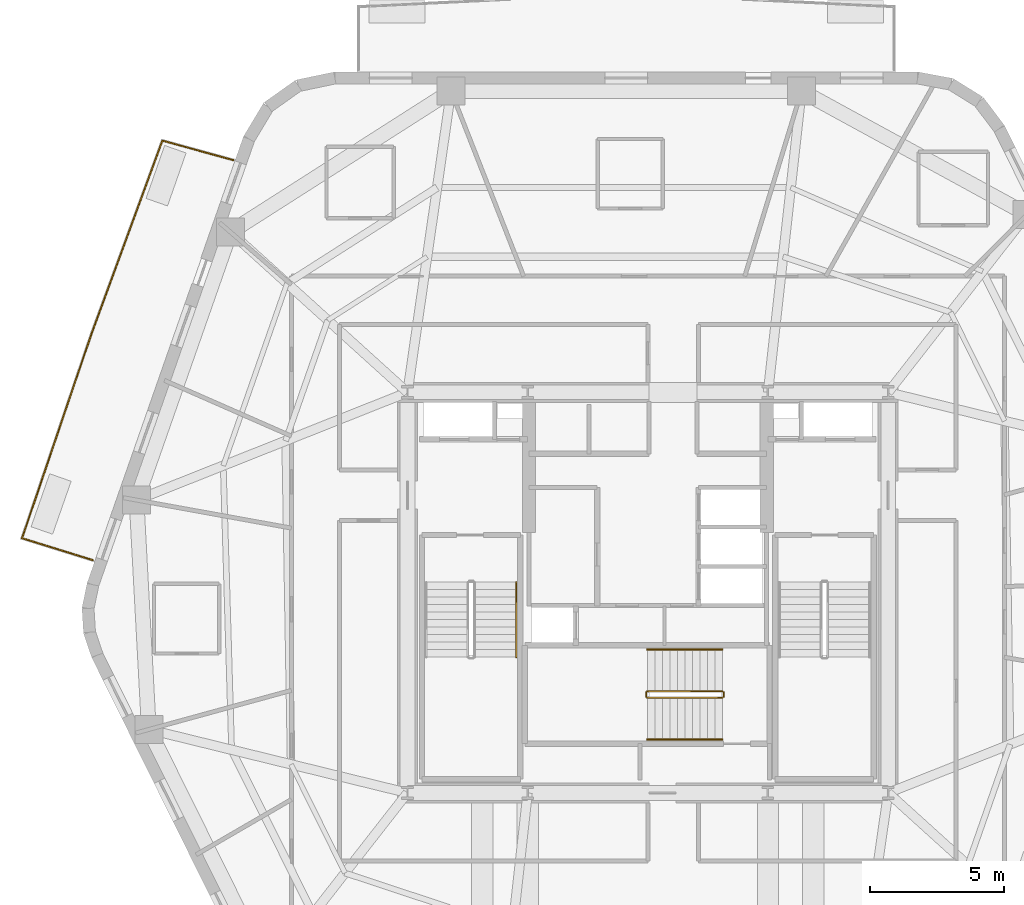
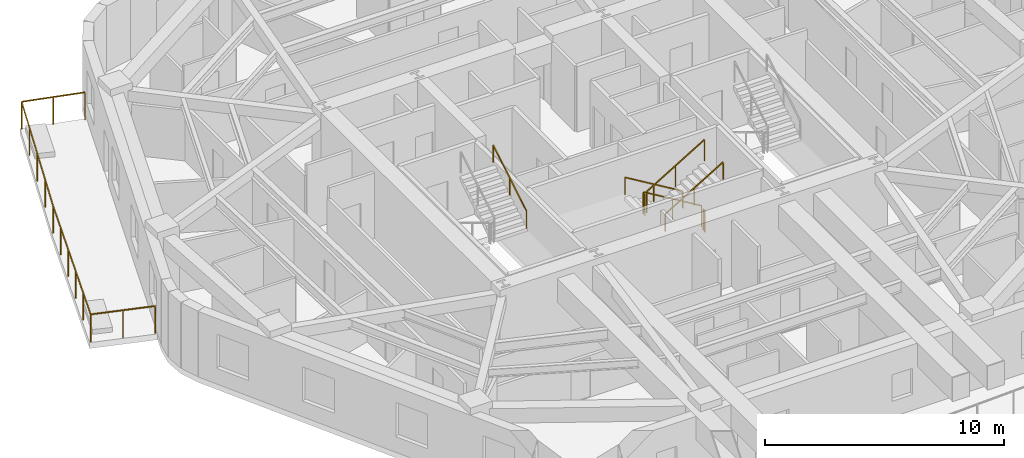
# One storey, part 9 of 11: 8 railings.
"""IFC4 building model written with IfcOpenShell, lengths in metres."""

from ifc_helpers import new_model, si_unit, direction, frame, origin, origin_2d, place, context, subcontext, project, spatial, rectangle, extrude, material, layer, layer_set, type_object, element, save


model = new_model("IFC4")

# Units and contexts
model_context = context("Model", 3, precision=1e-05, world=origin(), true_north=direction((0.0, 1.0)))
body_context = subcontext(model_context, "Body", "Model", "MODEL_VIEW")
ifc_project = project(units=[si_unit("LENGTHUNIT", "METRE"), si_unit("AREAUNIT", "SQUARE_METRE"), si_unit("VOLUMEUNIT", "CUBIC_METRE"), si_unit("PLANEANGLEUNIT", "RADIAN"), si_unit("MASSUNIT", "GRAM", prefix="KILO")], contexts=[model_context])

# Site, building, storey
site_placement = place(None, origin())
site = spatial("IfcSite", under=ifc_project, at=site_placement, CompositionType="ELEMENT")
building_placement = place(site_placement, origin())
building = spatial("IfcBuilding", under=site, at=building_placement, Name="Kilnhurst Terrace Hotel", CompositionType="ELEMENT")
storey_placement = place(building_placement, frame((0.0, 0.0, 197.800048828125)))
storey = spatial("IfcBuildingStorey", under=building, at=storey_placement, Name="L49", CompositionType="ELEMENT", Elevation=197.800048828125)

# Railings
ifc_material_1 = material(Name="Laminated SentryGlas and Stainless Steel AISI 316L Balustrade", Category="steel")
ifc_layer_1 = layer(ifc_material_1, 0.070068359375, Name="Laminated SentryGlas and Stainless Steel AISI 316L Balustrade")
ifc_layer_set_1 = layer_set([ifc_layer_1], Name="Laminated SentryGlas and Stainless Steel AISI 316L Balustrade")
railing_type_1 = type_object("IfcRailingType", Name="RLG-BAL-1420", PredefinedType="BALUSTRADE", material=ifc_layer_set_1)
railing_1_placement = place(storey_placement, frame((-20.783935546875, 1.215087890625, 0.0)))
element("IfcRailing", 1, at=railing_1_placement, inside=storey, type_object=railing_type_1, Name="L49 Exterior Terrace Guardrail BAL-L2B.1", PredefinedType="BALUSTRADE", context=body_context, shape_type="SweptSolid", body=[
    extrude(rectangle(XDim=0.048095703125, YDim=0.048095703125, at=origin_2d()), frame((0.0, 0.0, 1.39599609375), z_axis=(-0.954948187333, 0.29677257203, 0.0), x_axis=(-0.29677257203, -0.954948187333, 0.0)), (0.0, 0.0, 1.0), 2.7763671875),
    extrude(rectangle(XDim=0.048095703125, YDim=0.048095703125, at=origin_2d()), frame((-2.6513671875, 0.823974609375, 1.39599609375), z_axis=(0.321641701575, 0.946861455445, 0.0), x_axis=(-0.946861455445, 0.321641701575, 0.0)), (0.0, 0.0, 1.0), 8.082275390625),
    extrude(rectangle(XDim=0.048095703125, YDim=0.048095703125, at=origin_2d()), frame((-0.0517578125, 8.476806640625, 1.39599609375), z_axis=(0.344704120874, 0.938711387516, 0.0), x_axis=(-0.938711387516, 0.344704120874, 0.0)), (0.0, 0.0, 1.0), 7.7080078125),
    extrude(rectangle(XDim=0.048095703125, YDim=0.048095703125, at=origin_2d()), frame((2.605224609375, 15.71240234375, 1.39599609375), z_axis=(0.964239560757, -0.265032204593, 0.0), x_axis=(0.265032204593, 0.964239560757, 0.0)), (0.0, 0.0, 1.0), 2.739501953125),
    extrude(rectangle(XDim=0.0419921875, YDim=0.0419921875, at=origin_2d()), origin(), (0.0, 0.0, 1.0), 1.371826171875),
    extrude(rectangle(XDim=0.0419921875, YDim=0.0419921875, at=origin_2d()), frame((-1.32568359375, 0.412109375, 0.0)), (0.0, 0.0, 1.0), 1.371826171875),
    extrude(rectangle(XDim=0.0419921875, YDim=0.0419921875, at=origin_2d()), frame((-2.6513671875, 0.823974609375, 0.0)), (0.0, 0.0, 1.0), 1.371826171875),
    extrude(rectangle(XDim=0.0419921875, YDim=0.0419921875, at=origin_2d()), frame((-2.13134765625, 2.3544921875, 0.0)), (0.0, 0.0, 1.0), 1.371826171875),
    extrude(rectangle(XDim=0.0419921875, YDim=0.0419921875, at=origin_2d()), frame((-1.611572265625, 3.885009765625, 0.0)), (0.0, 0.0, 1.0), 1.371826171875),
    extrude(rectangle(XDim=0.0419921875, YDim=0.0419921875, at=origin_2d()), frame((-1.091552734375, 5.415771484375, 0.0)), (0.0, 0.0, 1.0), 1.371826171875),
    extrude(rectangle(XDim=0.0419921875, YDim=0.0419921875, at=origin_2d()), frame((-0.57177734375, 6.9462890625, 0.0)), (0.0, 0.0, 1.0), 1.371826171875),
    extrude(rectangle(XDim=0.0419921875, YDim=0.0419921875, at=origin_2d()), frame((-0.0517578125, 8.476806640625, 0.0)), (0.0, 0.0, 1.0), 1.371826171875),
    extrude(rectangle(XDim=0.0419921875, YDim=0.0419921875, at=origin_2d()), frame((0.612548828125, 10.28564453125, 0.0)), (0.0, 0.0, 1.0), 1.371826171875),
    extrude(rectangle(XDim=0.0419921875, YDim=0.0419921875, at=origin_2d()), frame((1.27685546875, 12.0947265625, 0.0)), (0.0, 0.0, 1.0), 1.371826171875),
    extrude(rectangle(XDim=0.0419921875, YDim=0.0419921875, at=origin_2d()), frame((1.94091796875, 13.903564453125, 0.0)), (0.0, 0.0, 1.0), 1.371826171875),
    extrude(rectangle(XDim=0.0419921875, YDim=0.0419921875, at=origin_2d()), frame((2.605224609375, 15.71240234375, 0.0)), (0.0, 0.0, 1.0), 1.371826171875),
    extrude(rectangle(XDim=0.0419921875, YDim=0.0419921875, at=origin_2d()), frame((3.926025390625, 15.349365234375, 0.0)), (0.0, 0.0, 1.0), 1.371826171875),
    extrude(rectangle(XDim=0.0419921875, YDim=0.0419921875, at=origin_2d()), frame((5.246826171875, 14.986328125, 0.0)), (0.0, 0.0, 1.0), 1.371826171875),
])
ifc_material_2 = material(Name="Powder-Coated Steel ASTM A500 Grade B", Category="steel")
ifc_layer_2 = layer(ifc_material_2, 0.050048828125, Name="Powder-Coated Steel ASTM A500 Grade B")
ifc_layer_set_2 = layer_set([ifc_layer_2], Name="Powder-Coated Steel ASTM A500 Grade B")
railing_type_2 = type_object("IfcRailingType", Name="RLG-ST-GRD-1100", PredefinedType="GUARDRAIL", material=ifc_layer_set_2)
railing_2_placement = place(storey_placement, frame((2.7900390625, -3.68994140625, 0.168212890625)))
element("IfcRailing", 2, at=railing_2_placement, inside=storey, type_object=railing_type_2, Name="L49 ST-3 stair guard 1", PredefinedType="GUARDRAIL", context=body_context, shape_type="SweptSolid", body=[
    extrude(rectangle(XDim=0.048095703125, YDim=0.048095703125, at=origin_2d()), frame((0.0, 0.0, 1.076171875), z_axis=(-0.857275202839, 0.0, 0.514858452973), x_axis=(0.0, -1.0, 0.0)), (0.0, 0.0, 1.0), 3.26611328125),
    extrude(rectangle(XDim=0.0419921875, YDim=0.0419921875, at=origin_2d()), origin(), (0.0, 0.0, 1.0), 1.052001953125),
    extrude(rectangle(XDim=0.0419921875, YDim=0.0419921875, at=origin_2d()), frame((-1.39990234375, 0.0, 0.8408203125)), (0.0, 0.0, 1.0), 1.052001953125),
    extrude(rectangle(XDim=0.0419921875, YDim=0.0419921875, at=origin_2d()), frame((-2.800048828125, 0.0, 1.681640625)), (0.0, 0.0, 1.0), 1.052001953125),
])
railing_3_placement = place(storey_placement, frame((-0.06005859375, -3.739990234375, 1.849853515625)))
element("IfcRailing", 3, at=railing_3_placement, inside=storey, type_object=railing_type_2, Name="L49 ST-3 stair guard 2", PredefinedType="GUARDRAIL", context=body_context, shape_type="SweptSolid", body=[
    extrude(rectangle(XDim=0.048095703125, YDim=0.048095703125, at=origin_2d()), frame((0.0, 0.0, 1.076171875), z_axis=(0.0, -1.0, 0.0), x_axis=(1.0, 0.0, 0.0)), (0.0, 0.0, 1.0), 0.14990234375),
    extrude(rectangle(XDim=0.0419921875, YDim=0.0419921875, at=origin_2d()), origin(), (0.0, 0.0, 1.0), 1.052001953125),
    extrude(rectangle(XDim=0.0419921875, YDim=0.0419921875, at=origin_2d()), frame((0.0, -0.14990234375, 0.0)), (0.0, 0.0, 1.0), 1.052001953125),
])
railing_4_placement = place(storey_placement, frame((-0.010009765625, -3.93994140625, 2.01806640625)))
element("IfcRailing", 4, at=railing_4_placement, inside=storey, type_object=railing_type_2, Name="L49 ST-3 stair guard 3", PredefinedType="GUARDRAIL", context=body_context, shape_type="SweptSolid", body=[
    extrude(rectangle(XDim=0.048095703125, YDim=0.048095703125, at=origin_2d()), frame((0.0, 0.0, 1.076171875), z_axis=(0.857242210791, 0.0, 0.514913383045), x_axis=(0.0, 1.0, 0.0)), (0.0, 0.0, 1.0), 3.266357421875),
    extrude(rectangle(XDim=0.0419921875, YDim=0.0419921875, at=origin_2d()), origin(), (0.0, 0.0, 1.0), 1.052001953125),
    extrude(rectangle(XDim=0.0419921875, YDim=0.0419921875, at=origin_2d()), frame((1.39990234375, 0.0, 0.8408203125)), (0.0, 0.0, 1.0), 1.052001953125),
    extrude(rectangle(XDim=0.0419921875, YDim=0.0419921875, at=origin_2d()), frame((2.800048828125, 0.0, 1.681884765625)), (0.0, 0.0, 1.0), 1.052001953125),
])
railing_5_placement = place(storey_placement, frame((2.840087890625, -3.739990234375, 0.0)))
element("IfcRailing", 5, at=railing_5_placement, inside=storey, type_object=railing_type_2, Name="L49 ST-3 stair guard 4", PredefinedType="GUARDRAIL", context=body_context, shape_type="SweptSolid", body=[
    extrude(rectangle(XDim=0.048095703125, YDim=0.048095703125, at=origin_2d()), frame((0.0, 0.0, 1.076171875), z_axis=(0.0, -1.0, 0.0), x_axis=(1.0, 0.0, 0.0)), (0.0, 0.0, 1.0), 0.14990234375),
    extrude(rectangle(XDim=0.0419921875, YDim=0.0419921875, at=origin_2d()), origin(), (0.0, 0.0, 1.0), 1.052001953125),
    extrude(rectangle(XDim=0.0419921875, YDim=0.0419921875, at=origin_2d()), frame((0.0, -0.14990234375, 0.0)), (0.0, 0.0, 1.0), 1.052001953125),
])
ifc_material_3 = material(Name="Brushed Stainless Steel AISI 304", Category="steel")
ifc_layer_3 = layer(ifc_material_3, 0.048095703125, Name="Brushed Stainless Steel AISI 304")
ifc_layer_set_3 = layer_set([ifc_layer_3], Name="Brushed Stainless Steel AISI 304")
railing_type_3 = type_object("IfcRailingType", Name="RLG-ST-HRL-900", PredefinedType="HANDRAIL", material=ifc_layer_set_3)
railing_6_placement = place(storey_placement, frame((-4.929931640625, -2.409912109375, 2.01806640625)))
element("IfcRailing", 6, at=railing_6_placement, inside=storey, type_object=railing_type_3, Name="L49 ST-1 stair handrail 2", PredefinedType="HANDRAIL", context=body_context, shape_type="SweptSolid", body=[
    extrude(rectangle(XDim=0.048095703125, YDim=0.048095703125, at=origin_2d()), frame((0.0, 0.0, 0.8759765625), z_axis=(0.0, 0.857222391501, 0.514946377315), x_axis=(-1.0, 0.0, 0.0)), (0.0, 0.0, 1.0), 3.26611328125),
    extrude(rectangle(XDim=0.0419921875, YDim=0.0419921875, at=origin_2d()), origin(), (0.0, 0.0, 1.0), 0.851806640625),
    extrude(rectangle(XDim=0.0419921875, YDim=0.0419921875, at=origin_2d()), frame((0.0, 1.39990234375, 0.8408203125)), (0.0, 0.0, 1.0), 0.851806640625),
    extrude(rectangle(XDim=0.0419921875, YDim=0.0419921875, at=origin_2d()), frame((0.0, 2.7998046875, 1.681884765625)), (0.0, 0.0, 1.0), 0.851806640625),
])
railing_7_placement = place(storey_placement, frame((2.7900390625, -2.1298828125, 0.168212890625)))
element("IfcRailing", 7, at=railing_7_placement, inside=storey, type_object=railing_type_3, Name="L49 ST-3 stair handrail 1", PredefinedType="HANDRAIL", context=body_context, shape_type="SweptSolid", body=[
    extrude(rectangle(XDim=0.048095703125, YDim=0.048095703125, at=origin_2d()), frame((0.0, 0.0, 0.8759765625), z_axis=(-0.857275202839, 0.0, 0.514858452973), x_axis=(0.0, -1.0, 0.0)), (0.0, 0.0, 1.0), 3.26611328125),
    extrude(rectangle(XDim=0.0419921875, YDim=0.0419921875, at=origin_2d()), origin(), (0.0, 0.0, 1.0), 0.851806640625),
    extrude(rectangle(XDim=0.0419921875, YDim=0.0419921875, at=origin_2d()), frame((-1.39990234375, 0.0, 0.8408203125)), (0.0, 0.0, 1.0), 0.851806640625),
    extrude(rectangle(XDim=0.0419921875, YDim=0.0419921875, at=origin_2d()), frame((-2.800048828125, 0.0, 1.681640625)), (0.0, 0.0, 1.0), 0.851806640625),
])
railing_8_placement = place(storey_placement, frame((-0.010009765625, -5.5, 2.01806640625)))
element("IfcRailing", 8, at=railing_8_placement, inside=storey, type_object=railing_type_3, Name="L49 ST-3 stair handrail 2", PredefinedType="HANDRAIL", context=body_context, shape_type="SweptSolid", body=[
    extrude(rectangle(XDim=0.048095703125, YDim=0.048095703125, at=origin_2d()), frame((0.0, 0.0, 0.8759765625), z_axis=(0.857242210791, 0.0, 0.514913383045), x_axis=(0.0, 1.0, 0.0)), (0.0, 0.0, 1.0), 3.266357421875),
    extrude(rectangle(XDim=0.0419921875, YDim=0.0419921875, at=origin_2d()), origin(), (0.0, 0.0, 1.0), 0.851806640625),
    extrude(rectangle(XDim=0.0419921875, YDim=0.0419921875, at=origin_2d()), frame((1.39990234375, 0.0, 0.8408203125)), (0.0, 0.0, 1.0), 0.851806640625),
    extrude(rectangle(XDim=0.0419921875, YDim=0.0419921875, at=origin_2d()), frame((2.800048828125, 0.0, 1.681884765625)), (0.0, 0.0, 1.0), 0.851806640625),
])

save(model, "model.ifc")
